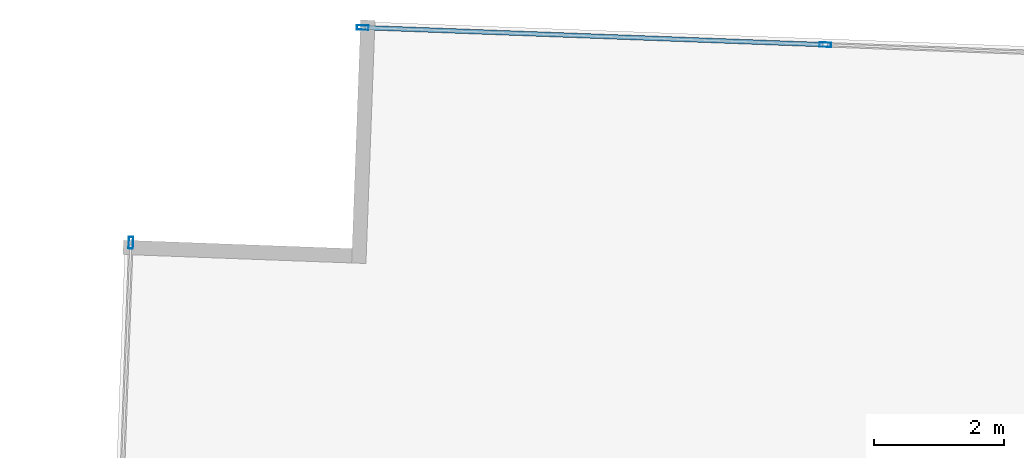
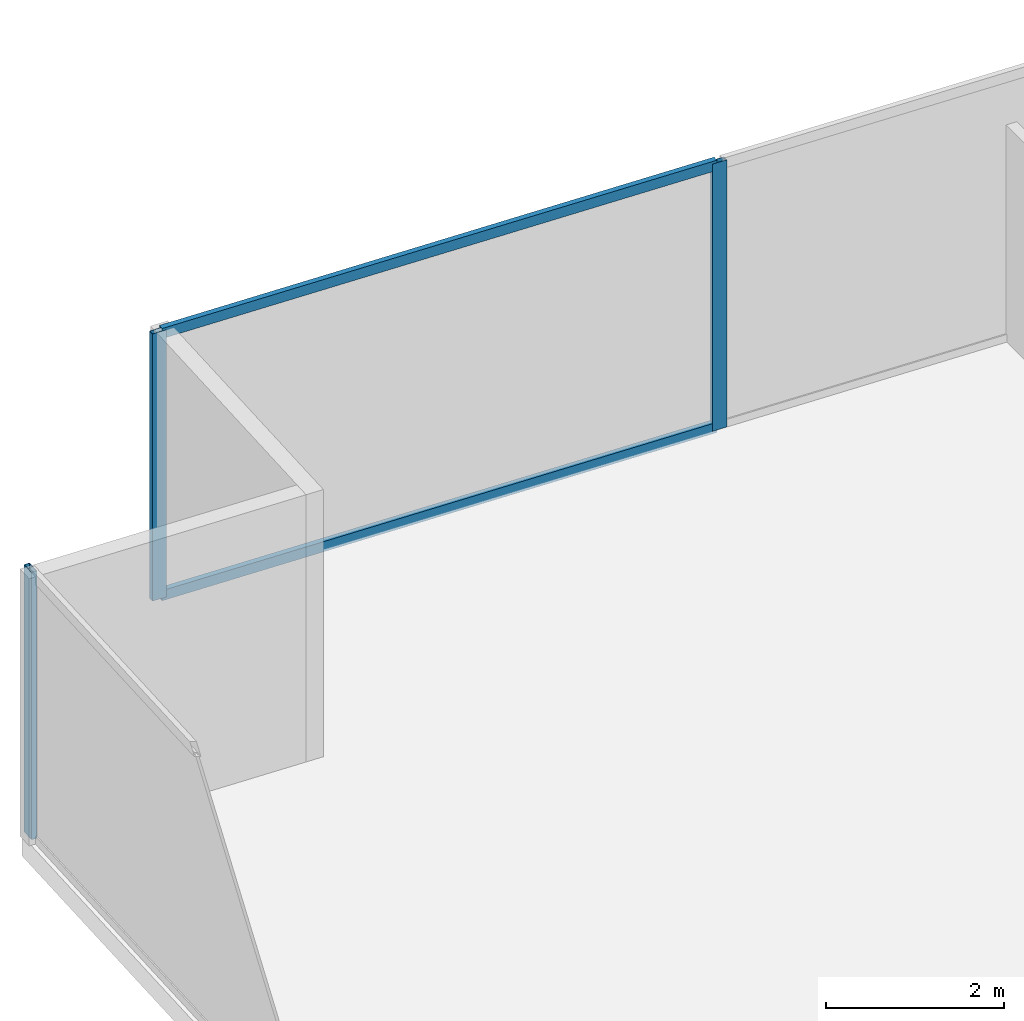
# One storey, part 21 of 30: 5 members, 2 elements without a shape of their own.
"""IFC4 building model written with IfcOpenShell, lengths in metres."""

from ifc_helpers import new_model, si_unit, direction, frame, origin, origin_2d, place, context, subcontext, project, spatial, hollow_rectangle, extrude, source, transform, mapped, material, material_profile, profile_set, type_object, type_shapes, element, aggregate, save


model = new_model("IFC4")

# Units and contexts
model_context = context("Model", 3, precision=1e-05, world=origin(), true_north=direction((0.0, 1.0)))
body_context = subcontext(model_context, "Body", "Model", "MODEL_VIEW")
ifc_project = project(units=[si_unit("LENGTHUNIT", "METRE"), si_unit("AREAUNIT", "SQUARE_METRE"), si_unit("VOLUMEUNIT", "CUBIC_METRE"), si_unit("PLANEANGLEUNIT", "RADIAN"), si_unit("MASSUNIT", "GRAM", prefix="KILO")], contexts=[model_context])

# Site, building, storey
site_placement = place(None, origin())
site = spatial("IfcSite", under=ifc_project, at=site_placement, CompositionType="ELEMENT")
building_placement = place(site_placement, origin())
building = spatial("IfcBuilding", under=site, at=building_placement, Name="Krantzveldt Concourse Tower", CompositionType="ELEMENT")
storey_placement = place(building_placement, frame((0.0, 0.0, 36.85009765625)))
storey = spatial("IfcBuildingStorey", under=building, at=storey_placement, Name="L08", CompositionType="ELEMENT", Elevation=36.85009765625)

# Curtain wall, member
ifc_material = material(Name="Anodised aluminium 6063-T6", Category="aluminium")
curtain_wall_type = type_object("IfcCurtainWallType", Name="CW2", PredefinedType="USERDEFINED", material=ifc_material)
curtain_wall_1_placement = place(storey_placement, origin())
curtain_wall_1 = element("IfcCurtainWall", 1, at=curtain_wall_1_placement, inside=storey, type_object=curtain_wall_type, Name="CW-L08-F01", ObjectType="UNITISED CURTAIN WALL", PredefinedType="USERDEFINED")
ifc_material_profile_1 = material_profile(ifc_material, hollow_rectangle(XDim=0.070068359375, YDim=0.179931640625, WallThickness=0.0048828125, at=origin_2d()), Name="Anodised aluminium 6063-T6", Category="aluminium")
ifc_profile_set_1 = profile_set([ifc_material_profile_1], Name="Anodised aluminium 6063-T6 - ALU-MULL 180x70x5")
member_type_1 = type_object("IfcMemberType", Name="CW-MUL-180", PredefinedType="MULLION", material=ifc_profile_set_1)
shared_shape_1 = source(origin(), body_context, "Body", "SweptSolid", [
    extrude(hollow_rectangle(XDim=0.070068359375, YDim=0.179931640625, WallThickness=0.0048828125, at=origin_2d()), origin(), (0.0, 0.0, 1.0), 3.669921875),
])
type_shapes(member_type_1, [shared_shape_1])
member_1_placement = place(storey_placement, frame((11.903076171875, 49.073974609375, 0.0), z_axis=(0.0, 0.0, 1.0), x_axis=(0.999312308986, -0.037079766834, 0.0)))
member_1 = element("IfcMember", 2, at=member_1_placement, type_object=member_type_1, Name="CW-Z12 mullion 1", PredefinedType="MULLION", context=body_context, shape_type="MappedRepresentation", body=[
    mapped(shared_shape_1, transform((0.0, 0.0, 0.0), x_axis=(1.0, 0.0, 0.0), y_axis=(0.0, 1.0, 0.0), z_axis=(0.0, 0.0, 1.0), scale=1.0)),
])
aggregate(curtain_wall_1, [member_1])

# Curtain wall, members
curtain_wall_2_placement = place(storey_placement, origin())
curtain_wall_2 = element("IfcCurtainWall", 3, at=curtain_wall_2_placement, inside=storey, type_object=curtain_wall_type, Name="CW-L08-F10", ObjectType="UNITISED CURTAIN WALL", PredefinedType="USERDEFINED")
member_2_placement = place(storey_placement, frame((22.60009765625, 52.124267578125, 0.0), z_axis=(0.0, 0.0, 1.0), x_axis=(-0.037079766834, -0.999312308986, 0.0)))
member_2 = element("IfcMember", 4, at=member_2_placement, type_object=member_type_1, Name="CW-Z12 mullion 6", PredefinedType="MULLION", context=body_context, shape_type="MappedRepresentation", body=[
    mapped(shared_shape_1, transform((0.0, 0.0, 0.0), x_axis=(1.0, 0.0, 0.0), y_axis=(0.0, 1.0, 0.0), z_axis=(0.0, 0.0, 1.0), scale=1.0)),
])
member_3_placement = place(storey_placement, frame((15.473388671875, 52.388671875, 0.0), z_axis=(0.0, 0.0, 1.0), x_axis=(-0.037079766834, -0.999312308986, 0.0)))
member_3 = element("IfcMember", 5, at=member_3_placement, type_object=member_type_1, Name="CW-Z12 mullion 7", PredefinedType="MULLION", context=body_context, shape_type="MappedRepresentation", body=[
    mapped(shared_shape_1, transform((0.0, 0.0, 0.0), x_axis=(1.0, 0.0, 0.0), y_axis=(0.0, 1.0, 0.0), z_axis=(0.0, 0.0, 1.0), scale=1.0)),
])
ifc_material_profile_2 = material_profile(ifc_material, hollow_rectangle(XDim=0.070068359375, YDim=0.139892578125, WallThickness=0.0048828125, at=origin_2d()), Name="Anodised aluminium 6063-T6", Category="aluminium")
ifc_profile_set_2 = profile_set([ifc_material_profile_2], Name="Anodised aluminium 6063-T6 - ALU-TRAN 140x70x5")
member_type_2 = type_object("IfcMemberType", Name="CW-TRN-150", PredefinedType="USERDEFINED", material=ifc_profile_set_2)
shared_shape_2 = source(origin(), body_context, "Body", "SweptSolid", [
    extrude(hollow_rectangle(XDim=0.070068359375, YDim=0.139892578125, WallThickness=0.0048828125, at=origin_2d()), origin(), (0.0, 0.0, 1.0), 7.061767578125),
])
type_shapes(member_type_2, [shared_shape_2])
member_4_placement = place(storey_placement, frame((22.565185546875, 52.125732421875, 0.034912109375), z_axis=(-0.999312985508, 0.037061529855, 0.0), x_axis=(-0.037061529855, -0.999312985508, 0.0)))
member_4 = element("IfcMember", 6, at=member_4_placement, type_object=member_type_2, Name="CW-Z12 transom 6.1", ObjectType="TRANSOM", PredefinedType="USERDEFINED", context=body_context, shape_type="MappedRepresentation", body=[
    mapped(shared_shape_2, transform((0.0, 0.0, 0.0), x_axis=(1.0, 0.0, 0.0), y_axis=(0.0, 1.0, 0.0), z_axis=(0.0, 0.0, 1.0), scale=1.0)),
])
member_5_placement = place(storey_placement, frame((22.565185546875, 52.125732421875, 3.635009765625), z_axis=(-0.999312985508, 0.037061529855, 0.0), x_axis=(-0.037061529855, -0.999312985508, 0.0)))
member_5 = element("IfcMember", 7, at=member_5_placement, type_object=member_type_2, Name="CW-Z12 transom 6.2", ObjectType="TRANSOM", PredefinedType="USERDEFINED", context=body_context, shape_type="MappedRepresentation", body=[
    mapped(shared_shape_2, transform((0.0, 0.0, 0.0), x_axis=(1.0, 0.0, 0.0), y_axis=(0.0, 1.0, 0.0), z_axis=(0.0, 0.0, 1.0), scale=1.0)),
])
aggregate(curtain_wall_2, [member_2, member_3, member_4, member_5])

save(model, "model.ifc")
